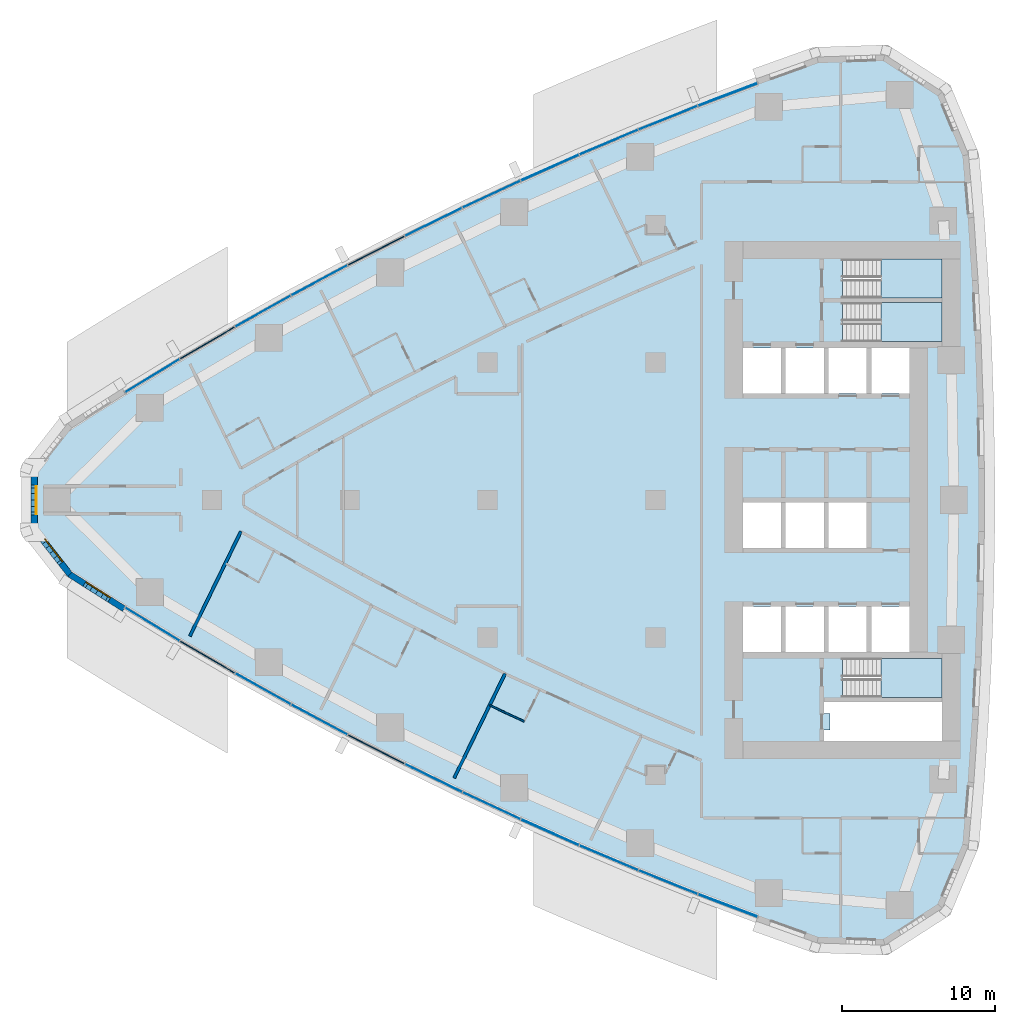
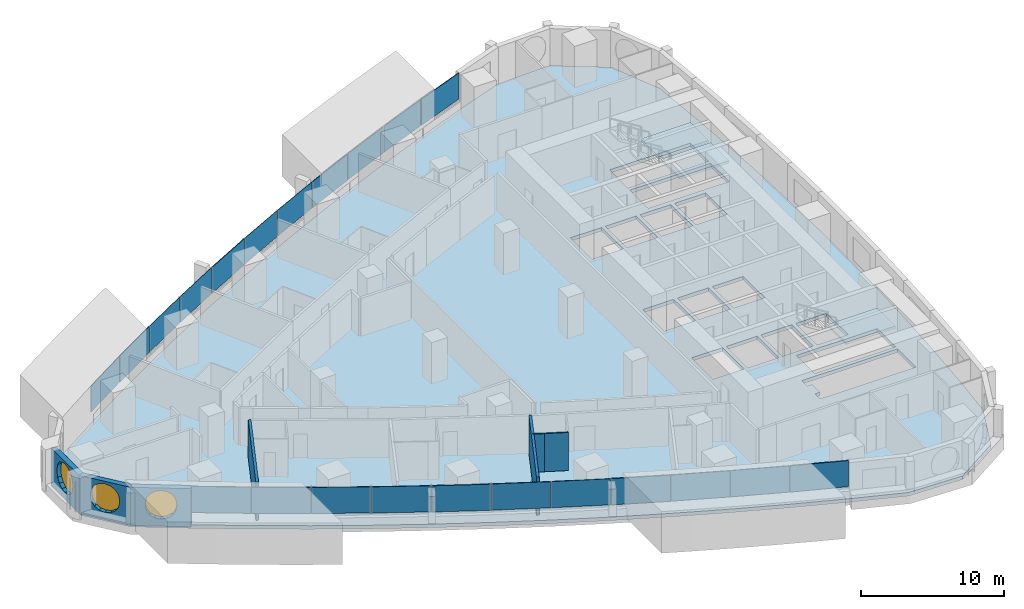
# One storey, part 8 of 19: 22 plates, 7 walls, 4 slabs, 3 windows, 4 openings, 13 elements without a shape of their own.
"""IFC4 building model written with IfcOpenShell, lengths in metres."""

import ifcopenshell
import ifcopenshell.guid

model = None  # the IFC model being written
_history = None  # IfcOwnerHistory: only IFC2X3 demands one
_inside = {}  # id of a spatial element -> (the spatial element, [elements in it])
_under = {}  # id of a project, library or spatial element -> (it, [spatial elements below it])
_declared = {}  # id of a project -> (the project, [libraries it declares])
_typed = {}  # id of a type object -> (the type object, [elements of that type])
_made_of = {}  # id of a material, layer set ... -> (it, [elements and type objects made of it])


def new_model(schema):
    """Start an empty IFC model of exactly this schema.

    Asked for "IFC4X3", IfcOpenShell would pick the latest addendum, in which some entities
    have other attributes; the version numbers below select the first issue.
    IFC2X3 requires an IfcOwnerHistory on every rooted entity: one is made here for all.
    """
    global model, _history
    if schema == "IFC4X3":
        model = ifcopenshell.file(schema_version=(4, 3, 0, 0))
    else:
        model = ifcopenshell.file(schema=schema)
    _inside.clear()
    _under.clear()
    _declared.clear()
    _typed.clear()
    _made_of.clear()
    _history = None
    if model.schema == "IFC2X3":
        org = make("IfcOrganization", Name="unknown")
        user = make(
            "IfcPersonAndOrganization",
            ThePerson=make("IfcPerson", FamilyName="unknown"),
            TheOrganization=org,
        )
        app = make(
            "IfcApplication",
            ApplicationDeveloper=org,
            Version="unknown",
            ApplicationFullName="unknown",
            ApplicationIdentifier="unknown",
        )
        _history = make(
            "IfcOwnerHistory",
            OwningUser=user,
            OwningApplication=app,
            ChangeAction="ADDED",
            CreationDate=0,
        )
    return model


def make(cls, **values):
    """One entity of the class cls with the attributes given. An attribute that is None is left unset."""
    return model.create_entity(
        cls, **{name: value for name, value in values.items() if value is not None}
    )


def rooted(cls, **values):
    """An entity with a GlobalId (a new one), such as an element, a storey or a relation."""
    return make(cls, GlobalId=ifcopenshell.guid.new(), OwnerHistory=_history, **values)


def si_unit(unit_type, name, prefix=None):
    """IfcSIUnit, for example si_unit("LENGTHUNIT", "METRE", prefix="MILLI")."""
    return make("IfcSIUnit", UnitType=unit_type, Prefix=prefix, Name=name)


def assignment(units):
    """IfcUnitAssignment: the units of a project."""
    return None if units is None else make("IfcUnitAssignment", Units=units)


def point(xyz):
    """IfcCartesianPoint."""
    return None if xyz is None else make("IfcCartesianPoint", Coordinates=xyz)


def direction(xyz):
    """IfcDirection."""
    return None if xyz is None else make("IfcDirection", DirectionRatios=xyz)


def frame(location, z_axis=None, x_axis=None):
    """IfcAxis2Placement3D, a coordinate frame: its origin and axes. An axis left out is left unset."""
    return make(
        "IfcAxis2Placement3D",
        Location=point(location),
        Axis=direction(z_axis),
        RefDirection=direction(x_axis),
    )


def frame_2d(location, x_axis=None):
    """IfcAxis2Placement2D, a coordinate frame in the plane: its origin and x axis."""
    return make(
        "IfcAxis2Placement2D", Location=point(location), RefDirection=direction(x_axis)
    )


def origin():
    """The frame at (0, 0, 0) with its axes left unset."""
    return frame((0.0, 0.0, 0.0))


def origin_2d():
    """The frame at (0, 0) in the plane with its x axis left unset."""
    return frame_2d((0.0, 0.0))


def place(relative_to, where):
    """IfcLocalPlacement: puts the frame where relative to a parent placement (None: the world)."""
    return make(
        "IfcLocalPlacement", PlacementRelTo=relative_to, RelativePlacement=where
    )


def context(
    kind, dimensions, precision=None, world=None, true_north=None, identifier=None
):
    """IfcGeometricRepresentationContext, for example the 3D "Model" context."""
    return make(
        "IfcGeometricRepresentationContext",
        ContextIdentifier=identifier,
        ContextType=kind,
        CoordinateSpaceDimension=dimensions,
        Precision=precision,
        WorldCoordinateSystem=world,
        TrueNorth=true_north,
    )


def subcontext(parent, identifier, kind, view, scale=None):
    """IfcGeometricRepresentationSubContext, for example "Body" below "Model"."""
    return make(
        "IfcGeometricRepresentationSubContext",
        ContextIdentifier=identifier,
        ContextType=kind,
        ParentContext=parent,
        TargetScale=scale,
        TargetView=view,
    )


def project(units=None, contexts=None):
    """IfcProject with its units and contexts."""
    return rooted(
        "IfcProject",
        Name="project",
        RepresentationContexts=contexts,
        UnitsInContext=assignment(units),
    )


def spatial(cls, under=None, at=None, **own):
    """A site, building, storey or space (cls), placed at a placement, below another one or the project."""
    s = rooted(cls, ObjectPlacement=at, **own)
    if under is not None:
        _under.setdefault(under.id(), (under, []))[1].append(s)
    return s


def polyline(points):
    """IfcPolyline through the points."""
    return make("IfcPolyline", Points=[point(p) for p in points])


def profile(cls, at=None, kind="AREA", **sizes):
    """A parametric profile (cls). Its sizes go by their IFC names, for example OverallWidth=200.0."""
    return make(cls, ProfileType=kind, Position=at, **sizes)


def rectangle(**sizes):
    """IfcRectangleProfileDef."""
    return profile("IfcRectangleProfileDef", **sizes)


def outline(outer, holes=None, kind="AREA"):
    """IfcArbitraryClosedProfileDef: a profile drawn as a closed curve; with holes, ...WithVoids."""
    if holes is None:
        return make("IfcArbitraryClosedProfileDef", ProfileType=kind, OuterCurve=outer)
    return make(
        "IfcArbitraryProfileDefWithVoids",
        ProfileType=kind,
        OuterCurve=outer,
        InnerCurves=holes,
    )


def extrude(swept, where, along, depth):
    """IfcExtrudedAreaSolid: the profile swept, set in the frame where, extruded along a direction by depth."""
    return make(
        "IfcExtrudedAreaSolid",
        SweptArea=swept,
        Position=where,
        ExtrudedDirection=direction(along),
        Depth=depth,
    )


def shape(context_of_items, identifier, shape_type, items):
    """IfcShapeRepresentation: the items that make up one representation, for example the "Body"."""
    return make(
        "IfcShapeRepresentation",
        ContextOfItems=context_of_items,
        RepresentationIdentifier=identifier,
        RepresentationType=shape_type,
        Items=items,
    )


def material(Name=None, Category=None):
    """IfcMaterial."""
    return make("IfcMaterial", Name=Name, Category=Category)


def layer(
    of_material, thickness, ventilated=None, Name=None, Category=None, Priority=None
):
    """IfcMaterialLayer: one layer of a wall or slab, of a material (None: an air gap)."""
    return make(
        "IfcMaterialLayer",
        Material=of_material,
        LayerThickness=thickness,
        IsVentilated=ventilated,
        Name=Name,
        Category=Category,
        Priority=Priority,
    )


def layer_set(layers, Name=None):
    """IfcMaterialLayerSet."""
    return make("IfcMaterialLayerSet", MaterialLayers=layers, LayerSetName=Name)


def made_of(thing, what):
    """Note that an element or type object is made of a material, layer set ...; save() writes the relation."""
    if what is not None:
        _made_of.setdefault(what.id(), (what, []))[1].append(thing)
    return thing


def type_object(cls, material=None, **own):
    """A type object (cls), such as IfcWallType, which elements share."""
    return made_of(rooted(cls, **own), material)


def element(
    cls,
    number,
    at=None,
    inside=None,
    cuts=None,
    type_object=None,
    material=None,
    context=None,
    identifier="Body",
    shape_type=None,
    held_by="IfcProductDefinitionShape",
    body=None,
    shapes=None,
    **own,
):
    """One element of the class cls, such as IfcWall. Its Tag is "e" and its number.

    at: its placement. inside: the storey or other place that contains it. cuts: it is an
    opening in that element (IfcRelVoidsElement). A single representation is given by context,
    identifier, shape_type and body (its items); several are given by shapes. held_by: the class
    of the entity that holds the representations. save() writes the other relations.
    """
    e = rooted(cls, Tag="e%d" % number, ObjectPlacement=at, **own)
    if body is not None:
        shapes = [shape(context, identifier, shape_type, body)]
    if shapes is not None:
        e.Representation = make(held_by, Representations=shapes)
    if inside is not None:
        _inside.setdefault(inside.id(), (inside, []))[1].append(e)
    if cuts is not None:
        rooted(
            "IfcRelVoidsElement", RelatingBuildingElement=cuts, RelatedOpeningElement=e
        )
    if type_object is not None:
        _typed.setdefault(type_object.id(), (type_object, []))[1].append(e)
    return made_of(e, material)


def fill(opening, filler):
    """IfcRelFillsElement: the door or window that sits in an opening."""
    return rooted(
        "IfcRelFillsElement",
        RelatingOpeningElement=opening,
        RelatedBuildingElement=filler,
    )


def aggregate(whole, parts):
    """IfcRelAggregates: a whole, such as a stair, and the parts it consists of."""
    return rooted("IfcRelAggregates", RelatingObject=whole, RelatedObjects=parts)


def save(model, path):
    """Write the relations noted so far, then the file.

    IfcRelAggregates (storeys below a building ...), IfcRelContainedInSpatialStructure (elements
    in a storey), IfcRelDefinesByType, IfcRelAssociatesMaterial and IfcRelDeclares: one each for
    every whole, place, type object, material and project.
    """
    for whole, parts in _under.values():
        aggregate(whole, parts)
    for where, things in _inside.values():
        rooted(
            "IfcRelContainedInSpatialStructure",
            RelatedElements=things,
            RelatingStructure=where,
        )
    for kind, things in _typed.values():
        rooted("IfcRelDefinesByType", RelatedObjects=things, RelatingType=kind)
    for what, things in _made_of.values():
        rooted("IfcRelAssociatesMaterial", RelatedObjects=things, RelatingMaterial=what)
    for by, libraries in _declared.values():
        rooted("IfcRelDeclares", RelatingContext=by, RelatedDefinitions=libraries)
    model.write(path)


model = new_model("IFC4")

# Units and contexts
model_context = context("Model", 3, precision=1e-05, world=origin(), true_north=direction((0.0, 1.0)))
body_context = subcontext(model_context, "Body", "Model", "MODEL_VIEW")
ifc_project = project(units=[si_unit("LENGTHUNIT", "METRE"), si_unit("AREAUNIT", "SQUARE_METRE"), si_unit("VOLUMEUNIT", "CUBIC_METRE"), si_unit("PLANEANGLEUNIT", "RADIAN"), si_unit("MASSUNIT", "GRAM", prefix="KILO")], contexts=[model_context])

# Site, building, storey
site_placement = place(None, origin())
site = spatial("IfcSite", under=ifc_project, at=site_placement, CompositionType="ELEMENT")
building_placement = place(site_placement, origin())
building = spatial("IfcBuilding", under=site, at=building_placement, Name="Ostrand Prow Hotel Tower", CompositionType="ELEMENT")
storey_placement = place(building_placement, frame((0.0, 0.0, 64.449951171875)))
storey = spatial("IfcBuildingStorey", under=building, at=storey_placement, Name="L14", CompositionType="ELEMENT", Elevation=64.449951171875)

# Curtain wall, plate
ifc_material_1 = material(Name="Insulated glass in bronze anodised frame", Category="glass")
ifc_layer_1 = layer(ifc_material_1, 0.199951171875)
ifc_layer_set_1 = layer_set([ifc_layer_1], Name="Insulated glass in bronze anodised frame")
curtain_wall_type = type_object("IfcCurtainWallType", Name="Strip curtain wall, fritted glass over bronze spandrel", PredefinedType="NOTDEFINED", material=ifc_layer_set_1)
curtain_wall_1_placement = place(storey_placement, origin())
curtain_wall_1 = element("IfcCurtainWall", 1, at=curtain_wall_1_placement, inside=storey, type_object=curtain_wall_type, Name="CW1 run CWS1", PredefinedType="NOTDEFINED")
ifc_material_2 = material(Name="Ceramic-fritted glass", Category="glass")
ifc_layer_2 = layer(ifc_material_2, 0.031982421875)
ifc_layer_set_2 = layer_set([ifc_layer_2], Name="Ceramic-fritted glass")
plate_type_1 = type_object("IfcPlateType", Name="Dot-fritted ceramic glass unit 32 mm", PredefinedType="CURTAIN_PANEL", material=ifc_layer_set_2)
plate_1_placement = place(storey_placement, frame((12.0859375, -8.12158203125, 1.02001953125), z_axis=(0.0, 0.0, 1.0), x_axis=(0.854269266322, -0.519830761515, 0.0)))
plate_1 = element("IfcPlate", 2, at=plate_1_placement, type_object=plate_type_1, Name="CW1 PN-D panel 1.2", PredefinedType="CURTAIN_PANEL", context=body_context, shape_type="SweptSolid", body=[
    extrude(rectangle(XDim=4.13427734375, YDim=0.031982421875, at=origin_2d()), origin(), (0.0, 0.0, 1.0), 2.22998046875),
])

# Curtain wall, plates
curtain_wall_2_placement = place(storey_placement, origin())
curtain_wall_2 = element("IfcCurtainWall", 3, at=curtain_wall_2_placement, inside=storey, type_object=curtain_wall_type, Name="CW1 run CWS2", PredefinedType="NOTDEFINED")
plate_2_placement = place(storey_placement, frame((19.33056640625, -12.349365234375, 1.02001953125), z_axis=(0.0, 0.0, 1.0), x_axis=(0.872819029241, -0.488043996167, 0.0)))
plate_2 = element("IfcPlate", 4, at=plate_2_placement, type_object=plate_type_1, Name="CW1 PN-D panel 1.2", PredefinedType="CURTAIN_PANEL", context=body_context, shape_type="SweptSolid", body=[
    extrude(rectangle(XDim=4.13427734375, YDim=0.031982421875, at=origin_2d()), origin(), (0.0, 0.0, 1.0), 2.22998046875),
])
plate_3_placement = place(storey_placement, frame((23.009765625, -14.362548828125, 1.02001953125), z_axis=(0.0, 0.0, 1.0), x_axis=(0.881652083929, -0.471899992481, 0.0)))
plate_3 = element("IfcPlate", 5, at=plate_3_placement, type_object=plate_type_1, Name="CW1 PN-D panel 2.2", PredefinedType="CURTAIN_PANEL", context=body_context, shape_type="SweptSolid", body=[
    extrude(rectangle(XDim=4.13427734375, YDim=0.031982421875, at=origin_2d()), origin(), (0.0, 0.0, 1.0), 2.22998046875),
])

curtain_wall_3_placement = place(storey_placement, origin())
curtain_wall_3 = element("IfcCurtainWall", 6, at=curtain_wall_3_placement, inside=storey, type_object=curtain_wall_type, Name="CW1 run CWS3", PredefinedType="NOTDEFINED")
plate_4_placement = place(storey_placement, frame((30.4765625, -18.183837890625, 1.02001953125), z_axis=(0.0, 0.0, 1.0), x_axis=(0.898419584131, -0.439138077204, 0.0)))
plate_4 = element("IfcPlate", 7, at=plate_4_placement, type_object=plate_type_1, Name="CW1 PN-D panel 1.2", PredefinedType="CURTAIN_PANEL", context=body_context, shape_type="SweptSolid", body=[
    extrude(rectangle(XDim=4.13427734375, YDim=0.031982421875, at=origin_2d()), origin(), (0.0, 0.0, 1.0), 2.22998046875),
])
plate_5_placement = place(storey_placement, frame((34.26123046875, -19.990966796875, 1.02001953125), z_axis=(0.0, 0.0, 1.0), x_axis=(0.906349088757, -0.422529678615, 0.0)))
plate_5 = element("IfcPlate", 8, at=plate_5_placement, type_object=plate_type_1, Name="CW1 PN-D panel 2.2", PredefinedType="CURTAIN_PANEL", context=body_context, shape_type="SweptSolid", body=[
    extrude(rectangle(XDim=4.13427734375, YDim=0.031982421875, at=origin_2d()), origin(), (0.0, 0.0, 1.0), 2.22998046875),
])
aggregate(curtain_wall_3, [plate_4, plate_5])

# Curtain wall, plate
curtain_wall_4_placement = place(storey_placement, origin())
curtain_wall_4 = element("IfcCurtainWall", 9, at=curtain_wall_4_placement, inside=storey, type_object=curtain_wall_type, Name="CW1 run CWS4", PredefinedType="NOTDEFINED")
plate_6_placement = place(storey_placement, frame((41.927490234375, -23.39453125, 1.02001953125), z_axis=(0.0, 0.0, 1.0), x_axis=(0.921283173987, -0.388892418709, 0.0)))
plate_6 = element("IfcPlate", 10, at=plate_6_placement, type_object=plate_type_1, Name="CW1 PN-D panel 2.2", PredefinedType="CURTAIN_PANEL", context=body_context, shape_type="SweptSolid", body=[
    extrude(rectangle(XDim=4.13427734375, YDim=0.031982421875, at=origin_2d()), origin(), (0.0, 0.0, 1.0), 2.22998046875),
])

curtain_wall_5_placement = place(storey_placement, origin())
curtain_wall_5 = element("IfcCurtainWall", 11, at=curtain_wall_5_placement, inside=storey, type_object=curtain_wall_type, Name="CW1 run CWS5", PredefinedType="NOTDEFINED")
plate_7_placement = place(storey_placement, frame((45.806396484375, -24.989990234375, 1.02001953125), z_axis=(0.0, 0.0, 1.0), x_axis=(0.928283463577, -0.371873380669, 0.0)))
plate_7 = element("IfcPlate", 12, at=plate_7_placement, type_object=plate_type_1, Name="CW1 PN-D panel 1.2", PredefinedType="CURTAIN_PANEL", context=body_context, shape_type="SweptSolid", body=[
    extrude(rectangle(XDim=4.13427734375, YDim=0.031982421875, at=origin_2d()), origin(), (0.0, 0.0, 1.0), 2.22998046875),
])

curtain_wall_6_placement = place(storey_placement, origin())
curtain_wall_6 = element("IfcCurtainWall", 13, at=curtain_wall_6_placement, inside=storey, type_object=curtain_wall_type, Name="CW1 run CWN1", PredefinedType="NOTDEFINED")
plate_8_placement = place(storey_placement, frame((45.806396484375, 24.989990234375, 1.02001953125), z_axis=(0.0, 0.0, 1.0), x_axis=(-0.928283463577, -0.371873380669, 0.0)))
plate_8 = element("IfcPlate", 14, at=plate_8_placement, type_object=plate_type_1, Name="CW1 PN-D panel 2.2", PredefinedType="CURTAIN_PANEL", context=body_context, shape_type="SweptSolid", body=[
    extrude(rectangle(XDim=4.13427734375, YDim=0.031982421875, at=origin_2d()), origin(), (0.0, 0.0, 1.0), 2.22998046875),
])

curtain_wall_7_placement = place(storey_placement, origin())
curtain_wall_7 = element("IfcCurtainWall", 15, at=curtain_wall_7_placement, inside=storey, type_object=curtain_wall_type, Name="CW1 run CWN2", PredefinedType="NOTDEFINED")
plate_9_placement = place(storey_placement, frame((41.927490234375, 23.39453125, 1.02001953125), z_axis=(0.0, 0.0, 1.0), x_axis=(-0.921283173987, -0.388892418709, 0.0)))
plate_9 = element("IfcPlate", 16, at=plate_9_placement, type_object=plate_type_1, Name="CW1 PN-D panel 1.2", PredefinedType="CURTAIN_PANEL", context=body_context, shape_type="SweptSolid", body=[
    extrude(rectangle(XDim=4.13427734375, YDim=0.031982421875, at=origin_2d()), origin(), (0.0, 0.0, 1.0), 2.22998046875),
])

# Curtain wall, plates
curtain_wall_8_placement = place(storey_placement, origin())
curtain_wall_8 = element("IfcCurtainWall", 17, at=curtain_wall_8_placement, inside=storey, type_object=curtain_wall_type, Name="CW1 run CWN3", PredefinedType="NOTDEFINED")
plate_10_placement = place(storey_placement, frame((34.26123046875, 19.990966796875, 1.02001953125), z_axis=(0.0, 0.0, 1.0), x_axis=(-0.906349088757, -0.422529678615, 0.0)))
plate_10 = element("IfcPlate", 18, at=plate_10_placement, type_object=plate_type_1, Name="CW1 PN-D panel 1.2", PredefinedType="CURTAIN_PANEL", context=body_context, shape_type="SweptSolid", body=[
    extrude(rectangle(XDim=4.13427734375, YDim=0.031982421875, at=origin_2d()), origin(), (0.0, 0.0, 1.0), 2.22998046875),
])
plate_11_placement = place(storey_placement, frame((30.4765625, 18.183837890625, 1.02001953125), z_axis=(0.0, 0.0, 1.0), x_axis=(-0.898419584131, -0.439138077204, 0.0)))
plate_11 = element("IfcPlate", 19, at=plate_11_placement, type_object=plate_type_1, Name="CW1 PN-D panel 2.2", PredefinedType="CURTAIN_PANEL", context=body_context, shape_type="SweptSolid", body=[
    extrude(rectangle(XDim=4.13427734375, YDim=0.031982421875, at=origin_2d()), origin(), (0.0, 0.0, 1.0), 2.22998046875),
])
aggregate(curtain_wall_8, [plate_10, plate_11])

curtain_wall_9_placement = place(storey_placement, origin())
curtain_wall_9 = element("IfcCurtainWall", 20, at=curtain_wall_9_placement, inside=storey, type_object=curtain_wall_type, Name="CW1 run CWN4", PredefinedType="NOTDEFINED")
plate_12_placement = place(storey_placement, frame((23.009765625, 14.362548828125, 1.02001953125), z_axis=(0.0, 0.0, 1.0), x_axis=(-0.881652083929, -0.471899992481, 0.0)))
plate_12 = element("IfcPlate", 21, at=plate_12_placement, type_object=plate_type_1, Name="CW1 PN-D panel 2.2", PredefinedType="CURTAIN_PANEL", context=body_context, shape_type="SweptSolid", body=[
    extrude(rectangle(XDim=4.13427734375, YDim=0.031982421875, at=origin_2d()), origin(), (0.0, 0.0, 1.0), 2.22998046875),
])
plate_13_placement = place(storey_placement, frame((19.33056640625, 12.349365234375, 1.02001953125), z_axis=(0.0, 0.0, 1.0), x_axis=(-0.872819029241, -0.488043996167, 0.0)))
plate_13 = element("IfcPlate", 22, at=plate_13_placement, type_object=plate_type_1, Name="CW1 PN-D panel 3.2", PredefinedType="CURTAIN_PANEL", context=body_context, shape_type="SweptSolid", body=[
    extrude(rectangle(XDim=4.13427734375, YDim=0.031982421875, at=origin_2d()), origin(), (0.0, 0.0, 1.0), 2.22998046875),
])

# Curtain wall, plate
curtain_wall_10_placement = place(storey_placement, origin())
curtain_wall_10 = element("IfcCurtainWall", 23, at=curtain_wall_10_placement, inside=storey, type_object=curtain_wall_type, Name="CW1 run CWN5", PredefinedType="NOTDEFINED")
plate_14_placement = place(storey_placement, frame((12.0859375, 8.12158203125, 1.02001953125), z_axis=(0.0, 0.0, 1.0), x_axis=(-0.854269266322, -0.519830761515, 0.0)))
plate_14 = element("IfcPlate", 24, at=plate_14_placement, type_object=plate_type_1, Name="CW1 PN-D panel 2.2", PredefinedType="CURTAIN_PANEL", context=body_context, shape_type="SweptSolid", body=[
    extrude(rectangle(XDim=4.13427734375, YDim=0.031982421875, at=origin_2d()), origin(), (0.0, 0.0, 1.0), 2.22998046875),
])

# Plate
ifc_material_3 = material(Name="Fritted glass in bronze vent frame", Category="glass")
ifc_layer_3 = layer(ifc_material_3, 0.06005859375)
ifc_layer_set_3 = layer_set([ifc_layer_3], Name="Fritted glass in bronze vent frame")
plate_type_2 = type_object("IfcPlateType", Name="Operable vent panel 60 mm", PredefinedType="CURTAIN_PANEL", material=ifc_layer_set_3)
plate_15_placement = place(storey_placement, frame((15.688720703125, -10.268798828125, 1.02001953125), z_axis=(0.0, 0.0, 1.0), x_axis=(0.863690392896, -0.50402272292, 0.0)))
plate_15 = element("IfcPlate", 25, at=plate_15_placement, type_object=plate_type_2, Name="CW1 PN-O panel 2.2", PredefinedType="CURTAIN_PANEL", context=body_context, shape_type="SweptSolid", body=[
    extrude(rectangle(XDim=4.13427734375, YDim=0.06005859375, at=origin_2d()), origin(), (0.0, 0.0, 1.0), 2.22998046875),
])

aggregate(curtain_wall_1, [plate_1, plate_15])

plate_16_placement = place(storey_placement, frame((26.7255859375, -16.3076171875, 1.02001953125), z_axis=(0.0, 0.0, 1.0), x_axis=(0.890186565631, -0.455596179055, 0.0)))
plate_16 = element("IfcPlate", 26, at=plate_16_placement, type_object=plate_type_2, Name="CW1 PN-O panel 3.2", PredefinedType="CURTAIN_PANEL", context=body_context, shape_type="SweptSolid", body=[
    extrude(rectangle(XDim=4.13427734375, YDim=0.06005859375, at=origin_2d()), origin(), (0.0, 0.0, 1.0), 2.22998046875),
])

aggregate(curtain_wall_2, [plate_2, plate_3, plate_16])

plate_17_placement = place(storey_placement, frame((38.078857421875, -21.72802734375, 1.02001953125), z_axis=(0.0, 0.0, 1.0), x_axis=(0.913970890274, -0.405779757666, 0.0)))
plate_17 = element("IfcPlate", 27, at=plate_17_placement, type_object=plate_type_2, Name="CW1 PN-O panel 1.2", PredefinedType="CURTAIN_PANEL", context=body_context, shape_type="SweptSolid", body=[
    extrude(rectangle(XDim=4.13427734375, YDim=0.06005859375, at=origin_2d()), origin(), (0.0, 0.0, 1.0), 2.22998046875),
])

aggregate(curtain_wall_4, [plate_17, plate_6])

plate_18_placement = place(storey_placement, frame((49.7138671875, -26.513671875, 1.02001953125), z_axis=(0.0, 0.0, 1.0), x_axis=(0.934969388384, -0.354728407072, 0.0)))
plate_18 = element("IfcPlate", 28, at=plate_18_placement, type_object=plate_type_2, Name="CW1 PN-O panel 2.2", PredefinedType="CURTAIN_PANEL", context=body_context, shape_type="SweptSolid", body=[
    extrude(rectangle(XDim=4.13427734375, YDim=0.06005859375, at=origin_2d()), origin(), (0.0, 0.0, 1.0), 2.22998046875),
])

aggregate(curtain_wall_5, [plate_7, plate_18])

plate_19_placement = place(storey_placement, frame((49.7138671875, 26.513671875, 1.02001953125), z_axis=(0.0, 0.0, 1.0), x_axis=(-0.934969388384, -0.354728407072, 0.0)))
plate_19 = element("IfcPlate", 29, at=plate_19_placement, type_object=plate_type_2, Name="CW1 PN-O panel 1.2", PredefinedType="CURTAIN_PANEL", context=body_context, shape_type="SweptSolid", body=[
    extrude(rectangle(XDim=4.13427734375, YDim=0.06005859375, at=origin_2d()), origin(), (0.0, 0.0, 1.0), 2.22998046875),
])

aggregate(curtain_wall_6, [plate_19, plate_8])

plate_20_placement = place(storey_placement, frame((38.078857421875, 21.72802734375, 1.02001953125), z_axis=(0.0, 0.0, 1.0), x_axis=(-0.913970890274, -0.405779757666, 0.0)))
plate_20 = element("IfcPlate", 30, at=plate_20_placement, type_object=plate_type_2, Name="CW1 PN-O panel 2.2", PredefinedType="CURTAIN_PANEL", context=body_context, shape_type="SweptSolid", body=[
    extrude(rectangle(XDim=4.13427734375, YDim=0.06005859375, at=origin_2d()), origin(), (0.0, 0.0, 1.0), 2.22998046875),
])

aggregate(curtain_wall_7, [plate_9, plate_20])

plate_21_placement = place(storey_placement, frame((26.7255859375, 16.3076171875, 1.02001953125), z_axis=(0.0, 0.0, 1.0), x_axis=(-0.890186565631, -0.455596179055, 0.0)))
plate_21 = element("IfcPlate", 31, at=plate_21_placement, type_object=plate_type_2, Name="CW1 PN-O panel 1.2", PredefinedType="CURTAIN_PANEL", context=body_context, shape_type="SweptSolid", body=[
    extrude(rectangle(XDim=4.13427734375, YDim=0.06005859375, at=origin_2d()), origin(), (0.0, 0.0, 1.0), 2.22998046875),
])

aggregate(curtain_wall_9, [plate_21, plate_12, plate_13])

plate_22_placement = place(storey_placement, frame((15.688720703125, 10.268798828125, 1.02001953125), z_axis=(0.0, 0.0, 1.0), x_axis=(-0.863690392896, -0.50402272292, 0.0)))
plate_22 = element("IfcPlate", 32, at=plate_22_placement, type_object=plate_type_2, Name="CW1 PN-O panel 1.2", PredefinedType="CURTAIN_PANEL", context=body_context, shape_type="SweptSolid", body=[
    extrude(rectangle(XDim=4.13427734375, YDim=0.06005859375, at=origin_2d()), origin(), (0.0, 0.0, 1.0), 2.22998046875),
])

aggregate(curtain_wall_10, [plate_22, plate_14])

# Slab, opening
ifc_material_4 = material(Name="Concrete C40/50", Category="concrete")
ifc_layer_4 = layer(ifc_material_4, 0.300048828125)
ifc_layer_set_4 = layer_set([ifc_layer_4], Name="Concrete C40/50")
slab_type_1 = type_object("IfcSlabType", Name="PT flat plate 300 C40/50", PredefinedType="FLOOR", material=ifc_layer_set_4)
slab_1_placement = place(storey_placement, frame((0.0, 0.0, -0.300048828125)))
slab_1 = element("IfcSlab", 33, at=slab_1_placement, inside=storey, type_object=slab_type_1, Name="Floor slab L14-1", PredefinedType="FLOOR", context=body_context, shape_type="SweptSolid", body=[
    extrude(outline(polyline([(6.690673828125, 4.805908203125), (10.26806640625, 7.073974609375), (13.851806640625, 9.2548828125), (17.47509765625, 11.369384765625), (21.136962890625, 13.416748046875), (24.83544921875, 15.396484375), (28.570068359375, 17.3076171875), (32.339111328125, 19.14990234375), (36.141357421875, 20.922607421875), (39.9755859375, 22.625), (43.840576171875, 24.25634765625), (47.73486328125, 25.81640625), (51.6572265625, 27.3046875), (55.64111328125, 28.73291015625), (59.92333984375, 28.873046875), (63.55908203125, 26.53369140625), (65.2060546875, 22.578369140625), (65.552978515625, 18.45166015625), (65.828369140625, 14.356689453125), (66.034912109375, 10.2578125), (66.172607421875, 6.15576171875), (66.241455078125, 2.052001953125), (66.241455078125, -2.052001953125), (66.172607421875, -6.15576171875), (66.034912109375, -10.2578125), (65.828369140625, -14.356689453125), (65.552978515625, -18.45166015625), (65.2060546875, -22.578369140625), (63.55908203125, -26.53369140625), (59.92333984375, -28.873046875), (55.64111328125, -28.73291015625), (51.6572265625, -27.3046875), (47.73486328125, -25.81640625), (43.840576171875, -24.25634765625), (39.9755859375, -22.625), (36.141357421875, -20.922607421875), (32.339111328125, -19.14990234375), (28.570068359375, -17.3076171875), (24.83544921875, -15.396484375), (21.136962890625, -13.416748046875), (17.47509765625, -11.369384765625), (13.851806640625, -9.2548828125), (10.26806640625, -7.073974609375), (6.690673828125, -4.805908203125), (4.399169921875, -1.8798828125), (4.399169921875, 1.8798828125), (6.690673828125, 4.805908203125)]), holes=[polyline([(50.699951171875, 6.949951171875), (53.199951171875, 6.949951171875), (53.199951171875, 9.949951171875), (50.699951171875, 9.949951171875), (50.699951171875, 6.949951171875)]), polyline([(53.5, 6.949951171875), (56.0, 6.949951171875), (56.0, 9.949951171875), (53.5, 9.949951171875), (53.5, 6.949951171875)]), polyline([(56.300048828125, 6.949951171875), (58.800048828125, 6.949951171875), (58.800048828125, 9.949951171875), (56.300048828125, 9.949951171875), (56.300048828125, 6.949951171875)]), polyline([(59.10009765625, 6.949951171875), (61.60009765625, 6.949951171875), (61.60009765625, 9.949951171875), (59.10009765625, 9.949951171875), (59.10009765625, 6.949951171875)]), polyline([(50.699951171875, -3.14990234375), (53.199951171875, -3.14990234375), (53.199951171875, -0.14990234375), (50.699951171875, -0.14990234375), (50.699951171875, -3.14990234375)]), polyline([(53.5, -3.14990234375), (56.0, -3.14990234375), (56.0, -0.14990234375), (53.5, -0.14990234375), (53.5, -3.14990234375)]), polyline([(56.300048828125, -3.14990234375), (58.800048828125, -3.14990234375), (58.800048828125, -0.14990234375), (56.300048828125, -0.14990234375), (56.300048828125, -3.14990234375)]), polyline([(50.699951171875, -9.949951171875), (53.199951171875, -9.949951171875), (53.199951171875, -6.949951171875), (50.699951171875, -6.949951171875), (50.699951171875, -9.949951171875)]), polyline([(53.5, -9.949951171875), (56.0, -9.949951171875), (56.0, -6.949951171875), (53.5, -6.949951171875), (53.5, -9.949951171875)]), polyline([(56.300048828125, -9.949951171875), (58.800048828125, -9.949951171875), (58.800048828125, -6.949951171875), (56.300048828125, -6.949951171875), (56.300048828125, -9.949951171875)]), polyline([(59.10009765625, -9.949951171875), (61.60009765625, -9.949951171875), (61.60009765625, -6.949951171875), (59.10009765625, -6.949951171875), (59.10009765625, -9.949951171875)]), polyline([(57.200927734375, 10.35107421875), (57.200927734375, 12.89892578125), (63.718994140625, 12.89892578125), (63.718994140625, 10.35107421875), (57.200927734375, 10.35107421875)]), polyline([(57.200927734375, 13.200927734375), (57.200927734375, 15.7490234375), (63.718994140625, 15.7490234375), (63.718994140625, 13.200927734375), (57.200927734375, 13.200927734375)]), polyline([(57.200927734375, -12.89892578125), (57.200927734375, -10.35107421875), (63.718994140625, -10.35107421875), (63.718994140625, -12.89892578125), (57.200927734375, -12.89892578125)]), polyline([(56.0, -13.199951171875), (63.719970703125, -13.199951171875), (63.719970703125, -15.75), (56.0, -15.75), (56.0, -15.050048828125), (56.39990234375, -15.050048828125), (56.39990234375, -13.949951171875), (56.0, -13.949951171875), (56.0, -13.199951171875)])]), origin(), (0.0, 0.0, 1.0), 0.300048828125),
])
opening_1_placement = place(slab_1_placement, origin())
element("IfcOpeningElement", 34, at=opening_1_placement, cuts=slab_1, Name="Shaft opening 1", PredefinedType="OPENING", context=body_context, shape_type="SweptSolid", body=[
    extrude(outline(polyline([(56.0, -13.199951171875), (63.719970703125, -13.199951171875), (63.719970703125, -15.75), (56.0, -15.75), (56.0, -15.050048828125), (56.39990234375, -15.050048828125), (56.39990234375, -13.949951171875), (56.0, -13.949951171875), (56.0, -13.199951171875)])), origin(), (0.0, 0.0, 1.0), 0.300048828125),
])

# Stair, slab
ifc_material_5 = material(Name="Concrete C40/50", Category="concrete")
stair_type = type_object("IfcStairType", Name="Exit stair 1200 upper zone", PredefinedType="HALF_TURN_STAIR", material=ifc_material_5)
stair_1_placement = place(storey_placement, origin())
stair_1 = element("IfcStair", 35, at=stair_1_placement, inside=storey, type_object=stair_type, Name="L14 ST1C", PredefinedType="HALF_TURN_STAIR")
ifc_material_6 = material(Name="Concrete C40/50", Category="concrete")
ifc_layer_5 = layer(ifc_material_6, 0.199951171875)
ifc_layer_set_5 = layer_set([ifc_layer_5], Name="Concrete C40/50")
slab_type_2 = type_object("IfcSlabType", Name="Stair landing 200 concrete", PredefinedType="LANDING", material=ifc_layer_set_5)
slab_2_placement = place(storey_placement, frame((0.0, 0.0, 1.574951171875)))
slab_2 = element("IfcSlab", 36, at=slab_2_placement, type_object=slab_type_2, Name="ST1C landing 1", PredefinedType="LANDING", context=body_context, shape_type="SweptSolid", body=[
    extrude(outline(polyline([(59.719970703125, 10.35009765625), (63.719970703125, 10.35009765625), (63.719970703125, 12.89990234375), (59.719970703125, 12.89990234375), (59.719970703125, 10.35009765625)])), origin(), (0.0, 0.0, 1.0), 0.2001953125),
])
aggregate(stair_1, [slab_2])

stair_2_placement = place(storey_placement, origin())
stair_2 = element("IfcStair", 37, at=stair_2_placement, inside=storey, type_object=stair_type, Name="L14 ST3C", PredefinedType="HALF_TURN_STAIR")
slab_3_placement = place(storey_placement, frame((0.0, 0.0, 1.574951171875)))
slab_3 = element("IfcSlab", 38, at=slab_3_placement, type_object=slab_type_2, Name="ST3C landing 1", PredefinedType="LANDING", context=body_context, shape_type="SweptSolid", body=[
    extrude(outline(polyline([(59.719970703125, 13.199951171875), (63.719970703125, 13.199951171875), (63.719970703125, 15.75), (59.719970703125, 15.75), (59.719970703125, 13.199951171875)])), origin(), (0.0, 0.0, 1.0), 0.2001953125),
])
aggregate(stair_2, [slab_3])

stair_3_placement = place(storey_placement, origin())
stair_3 = element("IfcStair", 39, at=stair_3_placement, inside=storey, type_object=stair_type, Name="L14 ST2C", PredefinedType="HALF_TURN_STAIR")
slab_4_placement = place(storey_placement, frame((0.0, 0.0, 1.574951171875)))
slab_4 = element("IfcSlab", 40, at=slab_4_placement, type_object=slab_type_2, Name="ST2C landing 1", PredefinedType="LANDING", context=body_context, shape_type="SweptSolid", body=[
    extrude(outline(polyline([(59.719970703125, -12.89990234375), (63.719970703125, -12.89990234375), (63.719970703125, -10.35009765625), (59.719970703125, -10.35009765625), (59.719970703125, -12.89990234375)])), origin(), (0.0, 0.0, 1.0), 0.2001953125),
])
aggregate(stair_3, [slab_4])

# Walls
ifc_material_7 = material(Name="Plasterboard partition")
ifc_layer_6 = layer(ifc_material_7, 0.10009765625)
ifc_layer_set_6 = layer_set([ifc_layer_6], Name="Plasterboard partition")
wall_type_1 = type_object("IfcWallType", Name="Partition 100 bathroom wall", PredefinedType="PARTITIONING", material=ifc_layer_set_6)
wall_1_placement = place(storey_placement, frame((36.407958984375, -14.48193359375, 0.0), z_axis=(0.0, 0.0, 1.0), x_axis=(-0.906434605418, 0.422346192242, 0.0)))
element("IfcWall", 41, at=wall_1_placement, inside=storey, type_object=wall_type_1, Name="BATHROOM WALL", PredefinedType="PARTITIONING", context=body_context, shape_type="SweptSolid", body=[
    extrude(rectangle(XDim=1.66064453125, YDim=0.10009765625, at=frame_2d((0.830322265625, 0.0))), origin(), (0.0, 0.0, 1.0), 3.25),
])
wall_2_placement = place(storey_placement, frame((34.902587890625, -13.780517578125, 0.0), z_axis=(0.0, 0.0, 1.0), x_axis=(-0.89828999443, 0.43940310184, 0.0)))
element("IfcWall", 42, at=wall_2_placement, inside=storey, type_object=wall_type_1, Name="BATHROOM WALL", PredefinedType="PARTITIONING", context=body_context, shape_type="SweptSolid", body=[
    extrude(rectangle(XDim=0.839599609375, YDim=0.10009765625, at=frame_2d((0.419921875, 0.0))), origin(), (0.0, 0.0, 1.0), 3.25),
])
ifc_material_8 = material(Name="Plasterboard partition")
ifc_layer_7 = layer(ifc_material_8, 0.199951171875)
ifc_layer_set_7 = layer_set([ifc_layer_7], Name="Plasterboard partition")
wall_type_2 = type_object("IfcWallType", Name="Partition 200 key partition", PredefinedType="PARTITIONING", material=ifc_layer_set_7)
wall_3_placement = place(storey_placement, frame((14.540771484375, -8.904296875, 0.0), z_axis=(0.0, 0.0, 1.0), x_axis=(0.438213564788, 0.898870887078, 0.0)))
element("IfcWall", 43, at=wall_3_placement, inside=storey, type_object=wall_type_2, Name="KEY PARTITION", PredefinedType="PARTITIONING", context=body_context, shape_type="SweptSolid", body=[
    extrude(rectangle(XDim=7.62548828125, YDim=0.199951171875, at=frame_2d((3.812744140625, 0.0))), origin(), (0.0, 0.0, 1.0), 3.25),
])
wall_4_placement = place(storey_placement, frame((31.825927734375, -18.17578125, 0.0), z_axis=(0.0, 0.0, 1.0), x_axis=(0.438196407286, 0.898879251425, 0.0)))
element("IfcWall", 44, at=wall_4_placement, inside=storey, type_object=wall_type_2, Name="KEY PARTITION", PredefinedType="PARTITIONING", context=body_context, shape_type="SweptSolid", body=[
    extrude(rectangle(XDim=7.60009765625, YDim=0.199951171875, at=frame_2d((3.800048828125, 0.0))), origin(), (0.0, 0.0, 1.0), 3.25),
])

# Wall, opening, window
ifc_material_9 = material(Name="Precast concrete C40/50", Category="concrete")
ifc_layer_8 = layer(ifc_material_9, 0.39990234375)
ifc_layer_set_8 = layer_set([ifc_layer_8], Name="Precast concrete C40/50")
wall_type_3 = type_object("IfcWallType", Name="Stone-faced precast wall 400 mm", PredefinedType="NOTDEFINED", material=ifc_layer_set_8)
wall_5_placement = place(storey_placement, frame((4.365478515625, 1.891357421875, 0.0), z_axis=(0.0, 0.0, 1.0), x_axis=(0.0, -1.0, 0.0)))
wall_5 = element("IfcWall", 45, at=wall_5_placement, inside=storey, type_object=wall_type_3, Name="Stone-faced wall prow 3", PredefinedType="NOTDEFINED", context=body_context, shape_type="SweptSolid", body=[
    extrude(outline(polyline([(-0.069091796875, -0.199951171875), (3.851806640625, -0.199951171875), (3.713623046875, 0.199951171875), (0.069091796875, 0.199951171875), (-0.069091796875, -0.199951171875)])), origin(), (0.0, 0.0, 1.0), 3.25),
])
opening_2_placement = place(wall_5_placement, frame((0.79150390625, 0.0, 0.60009765625)))
opening_2 = element("IfcOpeningElement", 46, at=opening_2_placement, cuts=wall_5, Name="Opening WP2", PredefinedType="OPENING", context=body_context, shape_type="SweptSolid", body=[
    extrude(outline(polyline([(0.0, 1.35009765625), (0.083740234375, 1.77099609375), (0.322265625, 2.127685546875), (0.678955078125, 2.3662109375), (1.10009765625, 2.449951171875), (1.52099609375, 2.3662109375), (1.877685546875, 2.127685546875), (2.1162109375, 1.77099609375), (2.199951171875, 1.35009765625), (2.199951171875, 1.10009765625), (2.1162109375, 0.678955078125), (1.877685546875, 0.322265625), (1.52099609375, 0.083740234375), (1.10009765625, 0.0), (0.678955078125, 0.083740234375), (0.322265625, 0.322265625), (0.083740234375, 0.678955078125), (0.0, 1.099853515625), (0.0, 1.35009765625)])), frame((0.0, 0.2099609375, 0.0), z_axis=(0.0, -1.0, 0.0), x_axis=(1.0, 0.0, 0.0)), (0.0, 0.0, 1.0), 0.419921875),
])
ifc_material_10 = material(Name="Insulated glass in bronze frame", Category="glass")
window_type = type_object("IfcWindowType", Name="Round-ended prow lounge window 2200x2450", PartitioningType="SINGLE_PANEL", PredefinedType="WINDOW", material=ifc_material_10)
window_1_placement = place(opening_2_placement, origin())
window_1 = element("IfcWindow", 47, at=window_1_placement, inside=storey, type_object=window_type, Name="Window prow 3.1", OverallHeight=2.449951171875, OverallWidth=2.199951171875, PartitioningType="SINGLE_PANEL", PredefinedType="WINDOW", context=body_context, shape_type="SweptSolid", body=[
    extrude(outline(polyline([(0.0, 1.35009765625), (0.083740234375, 1.77099609375), (0.322265625, 2.127685546875), (0.678955078125, 2.3662109375), (1.10009765625, 2.449951171875), (1.52099609375, 2.3662109375), (1.877685546875, 2.127685546875), (2.1162109375, 1.77099609375), (2.199951171875, 1.35009765625), (2.199951171875, 1.10009765625), (2.1162109375, 0.678955078125), (1.877685546875, 0.322265625), (1.52099609375, 0.083740234375), (1.10009765625, 0.0), (0.678955078125, 0.083740234375), (0.322265625, 0.322265625), (0.083740234375, 0.678955078125), (0.0, 1.099853515625), (0.0, 1.35009765625)])), frame((0.0, 0.169921875, 0.0), z_axis=(0.0, -1.0, 0.0), x_axis=(1.0, 0.0, 0.0)), (0.0, 0.0, 1.0), 0.06005859375),
])
fill(opening_2, window_1)

wall_6_placement = place(storey_placement, frame((4.365478515625, -1.891357421875, 0.0), z_axis=(0.0, 0.0, 1.0), x_axis=(0.616586647779, -0.787287054245, 0.0)))
wall_6 = element("IfcWall", 48, at=wall_6_placement, inside=storey, type_object=wall_type_3, Name="Stone-faced wall prow 4", PredefinedType="NOTDEFINED", context=body_context, shape_type="SweptSolid", body=[
    extrude(outline(polyline([(-0.069091796875, -0.199951171875), (3.8173828125, -0.199951171875), (3.74853515625, 0.199951171875), (0.069091796875, 0.199951171875), (-0.069091796875, -0.199951171875)])), origin(), (0.0, 0.0, 1.0), 3.25),
])
opening_3_placement = place(wall_6_placement, frame((0.79150390625, 0.0, 0.60009765625)))
opening_3 = element("IfcOpeningElement", 49, at=opening_3_placement, cuts=wall_6, Name="Opening WP2", PredefinedType="OPENING", context=body_context, shape_type="SweptSolid", body=[
    extrude(outline(polyline([(0.0, 1.35009765625), (0.083740234375, 1.77099609375), (0.322265625, 2.127685546875), (0.678955078125, 2.3662109375), (1.10009765625, 2.449951171875), (1.52099609375, 2.3662109375), (1.877685546875, 2.127685546875), (2.1162109375, 1.77099609375), (2.199951171875, 1.35009765625), (2.199951171875, 1.10009765625), (2.1162109375, 0.678955078125), (1.877685546875, 0.322265625), (1.52099609375, 0.083740234375), (1.10009765625, 0.0), (0.678955078125, 0.083740234375), (0.322265625, 0.322265625), (0.083740234375, 0.678955078125), (0.0, 1.099853515625), (0.0, 1.35009765625)])), frame((0.0, 0.2099609375, 0.0), z_axis=(0.0, -1.0, 0.0), x_axis=(1.0, 0.0, 0.0)), (0.0, 0.0, 1.0), 0.419921875),
])
window_2_placement = place(opening_3_placement, origin())
window_2 = element("IfcWindow", 50, at=window_2_placement, inside=storey, type_object=window_type, Name="Window prow 4.1", OverallHeight=2.449951171875, OverallWidth=2.199951171875, PartitioningType="SINGLE_PANEL", PredefinedType="WINDOW", context=body_context, shape_type="SweptSolid", body=[
    extrude(outline(polyline([(0.0, 1.35009765625), (0.083740234375, 1.77099609375), (0.322265625, 2.127685546875), (0.678955078125, 2.3662109375), (1.10009765625, 2.449951171875), (1.52099609375, 2.3662109375), (1.877685546875, 2.127685546875), (2.1162109375, 1.77099609375), (2.199951171875, 1.35009765625), (2.199951171875, 1.10009765625), (2.1162109375, 0.678955078125), (1.877685546875, 0.322265625), (1.52099609375, 0.083740234375), (1.10009765625, 0.0), (0.678955078125, 0.083740234375), (0.322265625, 0.322265625), (0.083740234375, 0.678955078125), (0.0, 1.099853515625), (0.0, 1.35009765625)])), frame((0.0, 0.169921875, 0.0), z_axis=(0.0, -1.0, 0.0), x_axis=(1.0, 0.0, 0.0)), (0.0, 0.0, 1.0), 0.06005859375),
])
fill(opening_3, window_2)

wall_7_placement = place(storey_placement, frame((6.697998046875, -4.86962890625, 0.0), z_axis=(0.0, 0.0, 1.0), x_axis=(0.844551578623, -0.535474211372, 0.0)))
wall_7 = element("IfcWall", 51, at=wall_7_placement, inside=storey, type_object=wall_type_3, Name="Stone-faced wall prow 5", PredefinedType="NOTDEFINED", context=body_context, shape_type="SweptSolid", body=[
    extrude(outline(polyline([(-0.034423828125, -0.199951171875), (4.196044921875, -0.199951171875), (4.196044921875, 0.199951171875), (0.034423828125, 0.199951171875), (-0.034423828125, -0.199951171875)])), origin(), (0.0, 0.0, 1.0), 3.25),
])
opening_4_placement = place(wall_7_placement, frame((0.998046875, 0.0, 0.60009765625)))
opening_4 = element("IfcOpeningElement", 52, at=opening_4_placement, cuts=wall_7, Name="Opening WP2", PredefinedType="OPENING", context=body_context, shape_type="SweptSolid", body=[
    extrude(outline(polyline([(0.0, 1.35009765625), (0.083740234375, 1.77099609375), (0.322265625, 2.127685546875), (0.678955078125, 2.3662109375), (1.10009765625, 2.449951171875), (1.52099609375, 2.3662109375), (1.877685546875, 2.127685546875), (2.1162109375, 1.77099609375), (2.199951171875, 1.35009765625), (2.199951171875, 1.10009765625), (2.1162109375, 0.678955078125), (1.877685546875, 0.322265625), (1.52099609375, 0.083740234375), (1.10009765625, 0.0), (0.678955078125, 0.083740234375), (0.322265625, 0.322265625), (0.083740234375, 0.678955078125), (0.0, 1.099853515625), (0.0, 1.35009765625)])), frame((0.0, 0.2099609375, 0.0), z_axis=(0.0, -1.0, 0.0), x_axis=(1.0, 0.0, 0.0)), (0.0, 0.0, 1.0), 0.419921875),
])
window_3_placement = place(opening_4_placement, origin())
window_3 = element("IfcWindow", 53, at=window_3_placement, inside=storey, type_object=window_type, Name="Window prow 5.1", OverallHeight=2.449951171875, OverallWidth=2.199951171875, PartitioningType="SINGLE_PANEL", PredefinedType="WINDOW", context=body_context, shape_type="SweptSolid", body=[
    extrude(outline(polyline([(0.0, 1.35009765625), (0.083740234375, 1.77099609375), (0.322265625, 2.127685546875), (0.678955078125, 2.3662109375), (1.10009765625, 2.449951171875), (1.52099609375, 2.3662109375), (1.877685546875, 2.127685546875), (2.1162109375, 1.77099609375), (2.199951171875, 1.35009765625), (2.199951171875, 1.10009765625), (2.1162109375, 0.678955078125), (1.877685546875, 0.322265625), (1.52099609375, 0.083740234375), (1.10009765625, 0.0), (0.678955078125, 0.083740234375), (0.322265625, 0.322265625), (0.083740234375, 0.678955078125), (0.0, 1.099853515625), (0.0, 1.35009765625)])), frame((0.0, 0.169921875, 0.0), z_axis=(0.0, -1.0, 0.0), x_axis=(1.0, 0.0, 0.0)), (0.0, 0.0, 1.0), 0.06005859375),
])
fill(opening_4, window_3)

save(model, "model.ifc")
